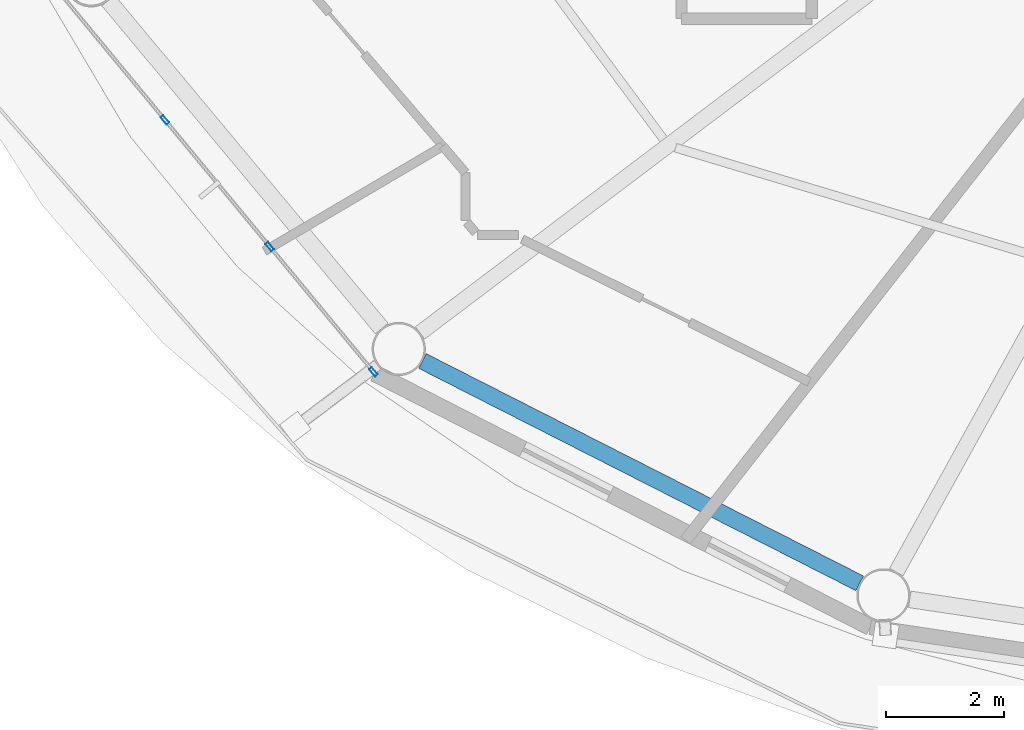
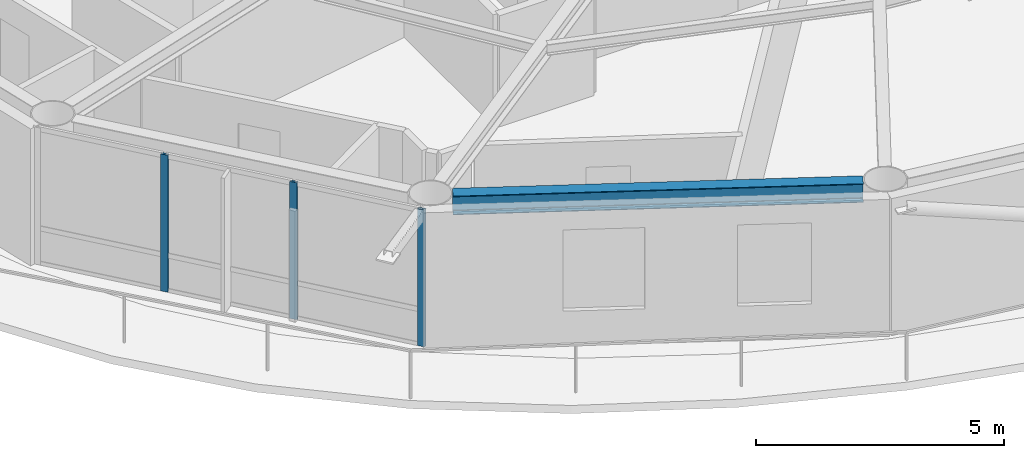
# One storey, part 2 of 22: 3 members, 1 beam, 1 element without a shape of its own.
"""IFC4 building model written with IfcOpenShell, lengths in metres."""

import ifcopenshell
import ifcopenshell.guid

model = None  # the IFC model being written
_history = None  # IfcOwnerHistory: only IFC2X3 demands one
_inside = {}  # id of a spatial element -> (the spatial element, [elements in it])
_under = {}  # id of a project, library or spatial element -> (it, [spatial elements below it])
_declared = {}  # id of a project -> (the project, [libraries it declares])
_typed = {}  # id of a type object -> (the type object, [elements of that type])
_made_of = {}  # id of a material, layer set ... -> (it, [elements and type objects made of it])


def new_model(schema):
    """Start an empty IFC model of exactly this schema.

    Asked for "IFC4X3", IfcOpenShell would pick the latest addendum, in which some entities
    have other attributes; the version numbers below select the first issue.
    IFC2X3 requires an IfcOwnerHistory on every rooted entity: one is made here for all.
    """
    global model, _history
    if schema == "IFC4X3":
        model = ifcopenshell.file(schema_version=(4, 3, 0, 0))
    else:
        model = ifcopenshell.file(schema=schema)
    _inside.clear()
    _under.clear()
    _declared.clear()
    _typed.clear()
    _made_of.clear()
    _history = None
    if model.schema == "IFC2X3":
        org = make("IfcOrganization", Name="unknown")
        user = make(
            "IfcPersonAndOrganization",
            ThePerson=make("IfcPerson", FamilyName="unknown"),
            TheOrganization=org,
        )
        app = make(
            "IfcApplication",
            ApplicationDeveloper=org,
            Version="unknown",
            ApplicationFullName="unknown",
            ApplicationIdentifier="unknown",
        )
        _history = make(
            "IfcOwnerHistory",
            OwningUser=user,
            OwningApplication=app,
            ChangeAction="ADDED",
            CreationDate=0,
        )
    return model


def make(cls, **values):
    """One entity of the class cls with the attributes given. An attribute that is None is left unset."""
    return model.create_entity(
        cls, **{name: value for name, value in values.items() if value is not None}
    )


def rooted(cls, **values):
    """An entity with a GlobalId (a new one), such as an element, a storey or a relation."""
    return make(cls, GlobalId=ifcopenshell.guid.new(), OwnerHistory=_history, **values)


def si_unit(unit_type, name, prefix=None):
    """IfcSIUnit, for example si_unit("LENGTHUNIT", "METRE", prefix="MILLI")."""
    return make("IfcSIUnit", UnitType=unit_type, Prefix=prefix, Name=name)


def assignment(units):
    """IfcUnitAssignment: the units of a project."""
    return None if units is None else make("IfcUnitAssignment", Units=units)


def point(xyz):
    """IfcCartesianPoint."""
    return None if xyz is None else make("IfcCartesianPoint", Coordinates=xyz)


def direction(xyz):
    """IfcDirection."""
    return None if xyz is None else make("IfcDirection", DirectionRatios=xyz)


def frame(location, z_axis=None, x_axis=None):
    """IfcAxis2Placement3D, a coordinate frame: its origin and axes. An axis left out is left unset."""
    return make(
        "IfcAxis2Placement3D",
        Location=point(location),
        Axis=direction(z_axis),
        RefDirection=direction(x_axis),
    )


def frame_2d(location, x_axis=None):
    """IfcAxis2Placement2D, a coordinate frame in the plane: its origin and x axis."""
    return make(
        "IfcAxis2Placement2D", Location=point(location), RefDirection=direction(x_axis)
    )


def origin():
    """The frame at (0, 0, 0) with its axes left unset."""
    return frame((0.0, 0.0, 0.0))


def origin_2d():
    """The frame at (0, 0) in the plane with its x axis left unset."""
    return frame_2d((0.0, 0.0))


def place(relative_to, where):
    """IfcLocalPlacement: puts the frame where relative to a parent placement (None: the world)."""
    return make(
        "IfcLocalPlacement", PlacementRelTo=relative_to, RelativePlacement=where
    )


def context(
    kind, dimensions, precision=None, world=None, true_north=None, identifier=None
):
    """IfcGeometricRepresentationContext, for example the 3D "Model" context."""
    return make(
        "IfcGeometricRepresentationContext",
        ContextIdentifier=identifier,
        ContextType=kind,
        CoordinateSpaceDimension=dimensions,
        Precision=precision,
        WorldCoordinateSystem=world,
        TrueNorth=true_north,
    )


def subcontext(parent, identifier, kind, view, scale=None):
    """IfcGeometricRepresentationSubContext, for example "Body" below "Model"."""
    return make(
        "IfcGeometricRepresentationSubContext",
        ContextIdentifier=identifier,
        ContextType=kind,
        ParentContext=parent,
        TargetScale=scale,
        TargetView=view,
    )


def project(units=None, contexts=None):
    """IfcProject with its units and contexts."""
    return rooted(
        "IfcProject",
        Name="project",
        RepresentationContexts=contexts,
        UnitsInContext=assignment(units),
    )


def spatial(cls, under=None, at=None, **own):
    """A site, building, storey or space (cls), placed at a placement, below another one or the project."""
    s = rooted(cls, ObjectPlacement=at, **own)
    if under is not None:
        _under.setdefault(under.id(), (under, []))[1].append(s)
    return s


def profile(cls, at=None, kind="AREA", **sizes):
    """A parametric profile (cls). Its sizes go by their IFC names, for example OverallWidth=200.0."""
    return make(cls, ProfileType=kind, Position=at, **sizes)


def hollow_rectangle(**sizes):
    """IfcRectangleHollowProfileDef."""
    return profile("IfcRectangleHollowProfileDef", **sizes)


def i_section(**sizes):
    """IfcIShapeProfileDef."""
    return profile("IfcIShapeProfileDef", **sizes)


def extrude(swept, where, along, depth):
    """IfcExtrudedAreaSolid: the profile swept, set in the frame where, extruded along a direction by depth."""
    return make(
        "IfcExtrudedAreaSolid",
        SweptArea=swept,
        Position=where,
        ExtrudedDirection=direction(along),
        Depth=depth,
    )


def shape(context_of_items, identifier, shape_type, items):
    """IfcShapeRepresentation: the items that make up one representation, for example the "Body"."""
    return make(
        "IfcShapeRepresentation",
        ContextOfItems=context_of_items,
        RepresentationIdentifier=identifier,
        RepresentationType=shape_type,
        Items=items,
    )


def material(Name=None, Category=None):
    """IfcMaterial."""
    return make("IfcMaterial", Name=Name, Category=Category)


def layer(
    of_material, thickness, ventilated=None, Name=None, Category=None, Priority=None
):
    """IfcMaterialLayer: one layer of a wall or slab, of a material (None: an air gap)."""
    return make(
        "IfcMaterialLayer",
        Material=of_material,
        LayerThickness=thickness,
        IsVentilated=ventilated,
        Name=Name,
        Category=Category,
        Priority=Priority,
    )


def layer_set(layers, Name=None):
    """IfcMaterialLayerSet."""
    return make("IfcMaterialLayerSet", MaterialLayers=layers, LayerSetName=Name)


def material_profile(
    of_material, cross_section, Name=None, Category=None, Priority=None
):
    """IfcMaterialProfile: a cross section and its material."""
    return make(
        "IfcMaterialProfile",
        Name=Name,
        Material=of_material,
        Profile=cross_section,
        Priority=Priority,
        Category=Category,
    )


def profile_set(profiles, Name=None, composite=None):
    """IfcMaterialProfileSet."""
    return make(
        "IfcMaterialProfileSet",
        Name=Name,
        MaterialProfiles=profiles,
        CompositeProfile=composite,
    )


def made_of(thing, what):
    """Note that an element or type object is made of a material, layer set ...; save() writes the relation."""
    if what is not None:
        _made_of.setdefault(what.id(), (what, []))[1].append(thing)
    return thing


def type_object(cls, material=None, **own):
    """A type object (cls), such as IfcWallType, which elements share."""
    return made_of(rooted(cls, **own), material)


def element(
    cls,
    number,
    at=None,
    inside=None,
    cuts=None,
    type_object=None,
    material=None,
    context=None,
    identifier="Body",
    shape_type=None,
    held_by="IfcProductDefinitionShape",
    body=None,
    shapes=None,
    **own,
):
    """One element of the class cls, such as IfcWall. Its Tag is "e" and its number.

    at: its placement. inside: the storey or other place that contains it. cuts: it is an
    opening in that element (IfcRelVoidsElement). A single representation is given by context,
    identifier, shape_type and body (its items); several are given by shapes. held_by: the class
    of the entity that holds the representations. save() writes the other relations.
    """
    e = rooted(cls, Tag="e%d" % number, ObjectPlacement=at, **own)
    if body is not None:
        shapes = [shape(context, identifier, shape_type, body)]
    if shapes is not None:
        e.Representation = make(held_by, Representations=shapes)
    if inside is not None:
        _inside.setdefault(inside.id(), (inside, []))[1].append(e)
    if cuts is not None:
        rooted(
            "IfcRelVoidsElement", RelatingBuildingElement=cuts, RelatedOpeningElement=e
        )
    if type_object is not None:
        _typed.setdefault(type_object.id(), (type_object, []))[1].append(e)
    return made_of(e, material)


def aggregate(whole, parts):
    """IfcRelAggregates: a whole, such as a stair, and the parts it consists of."""
    return rooted("IfcRelAggregates", RelatingObject=whole, RelatedObjects=parts)


def save(model, path):
    """Write the relations noted so far, then the file.

    IfcRelAggregates (storeys below a building ...), IfcRelContainedInSpatialStructure (elements
    in a storey), IfcRelDefinesByType, IfcRelAssociatesMaterial and IfcRelDeclares: one each for
    every whole, place, type object, material and project.
    """
    for whole, parts in _under.values():
        aggregate(whole, parts)
    for where, things in _inside.values():
        rooted(
            "IfcRelContainedInSpatialStructure",
            RelatedElements=things,
            RelatingStructure=where,
        )
    for kind, things in _typed.values():
        rooted("IfcRelDefinesByType", RelatedObjects=things, RelatingType=kind)
    for what, things in _made_of.values():
        rooted("IfcRelAssociatesMaterial", RelatedObjects=things, RelatingMaterial=what)
    for by, libraries in _declared.values():
        rooted("IfcRelDeclares", RelatingContext=by, RelatedDefinitions=libraries)
    model.write(path)


model = new_model("IFC4")

# Units and contexts
model_context = context("Model", 3, precision=1e-05, world=origin(), true_north=direction((0.0, 1.0)))
body_context = subcontext(model_context, "Body", "Model", "MODEL_VIEW")
ifc_project = project(units=[si_unit("LENGTHUNIT", "METRE"), si_unit("AREAUNIT", "SQUARE_METRE"), si_unit("VOLUMEUNIT", "CUBIC_METRE"), si_unit("PLANEANGLEUNIT", "RADIAN"), si_unit("MASSUNIT", "GRAM", prefix="KILO")], contexts=[model_context])

# Site, building, storey
site_placement = place(None, origin())
site = spatial("IfcSite", under=ifc_project, at=site_placement, CompositionType="ELEMENT")
building_placement = place(site_placement, origin())
building = spatial("IfcBuilding", under=site, at=building_placement, Name="Sarneth Arch Tower", CompositionType="ELEMENT")
storey_placement = place(building_placement, frame((0.0, 0.0, 305.39990234375)))
storey = spatial("IfcBuildingStorey", under=building, at=storey_placement, Name="L79", CompositionType="ELEMENT", Elevation=305.39990234375)

# Beam
ifc_material_1 = material(Name="Steel S355", Category="steel")
ifc_material_profile_1 = material_profile(ifc_material_1, i_section(OverallWidth=0.280029296875, OverallDepth=0.462890625, WebThickness=0.0107421875, FlangeThickness=0.017333984375, FilletRadius=0.01806640625, at=origin_2d()), Name="W460x113")
ifc_profile_set_1 = profile_set([ifc_material_profile_1], Name="Steel S355")
beam_type = type_object("IfcBeamType", Name="BM-RAD-460A", PredefinedType="BEAM", material=ifc_profile_set_1)
beam_placement = place(storey_placement, frame((30.42578125, 28.219482421875, 3.138671875), z_axis=(0.891376248079, -0.453264144138, 0.0), x_axis=(0.453264144138, 0.891376248079, 0.0)))
element("IfcBeam", 1, at=beam_placement, inside=storey, type_object=beam_type, Name="L79 Perimeter spandrel beam 11", PredefinedType="BEAM", context=body_context, shape_type="SweptSolid", body=[
    extrude(i_section(OverallWidth=0.280029296875, OverallDepth=0.462890625, WebThickness=0.0107421875, FlangeThickness=0.017333984375, FilletRadius=0.01806640625, at=origin_2d()), origin(), (0.0, 0.0, 1.0), 8.281982421875),
])

# Curtain wall, members
ifc_material_2 = material(Name="Anodised aluminium Type AA25 and solar-control low-e laminated IGU", Category="aluminium")
ifc_layer = layer(ifc_material_2, 0.179931640625)
ifc_layer_set = layer_set([ifc_layer], Name="Anodised aluminium Type AA25 and solar-control low-e laminated IGU")
curtain_wall_type = type_object("IfcCurtainWallType", Name="CW-RES-HIGH", PredefinedType="NOTDEFINED", material=ifc_layer_set)
curtain_wall_placement = place(storey_placement, origin())
curtain_wall = element("IfcCurtainWall", 2, at=curtain_wall_placement, inside=storey, type_object=curtain_wall_type, Name="L79 Unitised curtain wall facet 10", PredefinedType="NOTDEFINED")
ifc_material_3 = material(Name="Anodised Aluminium 6063-T6", Category="aluminium")
ifc_material_profile_2 = material_profile(ifc_material_3, hollow_rectangle(XDim=0.06005859375, YDim=0.159912109375, WallThickness=0.00390625, at=origin_2d()), Name="AL-MULL-160x60x4")
ifc_profile_set_2 = profile_set([ifc_material_profile_2], Name="Anodised Aluminium 6063-T6")
member_type = type_object("IfcMemberType", Name="CW-MULLION", PredefinedType="MULLION", material=ifc_profile_set_2)
member_1_placement = place(storey_placement, frame((26.07666015625, 32.29150390625, 0.0), z_axis=(0.0, 0.0, 1.0), x_axis=(0.770359245933, 0.637610094184, 0.0)))
member_1 = element("IfcMember", 3, at=member_1_placement, type_object=member_type, Name="CW-SYS-6 mullion 2", PredefinedType="MULLION", context=body_context, shape_type="SweptSolid", body=[
    extrude(hollow_rectangle(XDim=0.06005859375, YDim=0.159912109375, WallThickness=0.00390625, at=origin_2d()), origin(), (0.0, 0.0, 1.0), 3.3701171875),
])
member_2_placement = place(storey_placement, frame((27.84716796875, 30.15234375, 0.0), z_axis=(0.0, 0.0, 1.0), x_axis=(0.770359245933, 0.637610094184, 0.0)))
member_2 = element("IfcMember", 4, at=member_2_placement, type_object=member_type, Name="CW-SYS-6 mullion 3", PredefinedType="MULLION", context=body_context, shape_type="SweptSolid", body=[
    extrude(hollow_rectangle(XDim=0.06005859375, YDim=0.159912109375, WallThickness=0.00390625, at=origin_2d()), origin(), (0.0, 0.0, 1.0), 3.3701171875),
])
member_3_placement = place(storey_placement, frame((29.598388671875, 28.03662109375, 0.0), z_axis=(0.0, 0.0, 1.0), x_axis=(0.770359245933, 0.637610094184, 0.0)))
member_3 = element("IfcMember", 5, at=member_3_placement, type_object=member_type, Name="CW-SYS-6 mullion 4", PredefinedType="MULLION", context=body_context, shape_type="SweptSolid", body=[
    extrude(hollow_rectangle(XDim=0.06005859375, YDim=0.159912109375, WallThickness=0.00390625, at=origin_2d()), origin(), (0.0, 0.0, 1.0), 3.3701171875),
])
aggregate(curtain_wall, [member_1, member_2, member_3])

save(model, "model.ifc")
